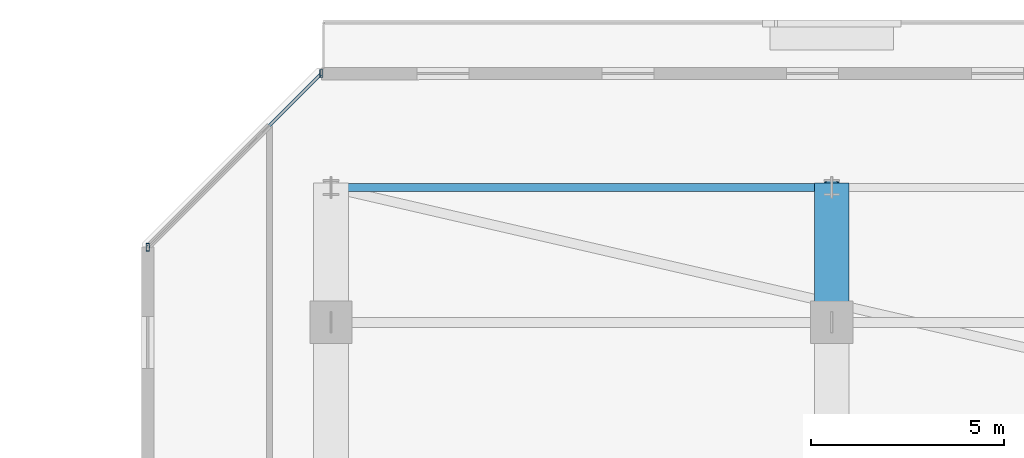
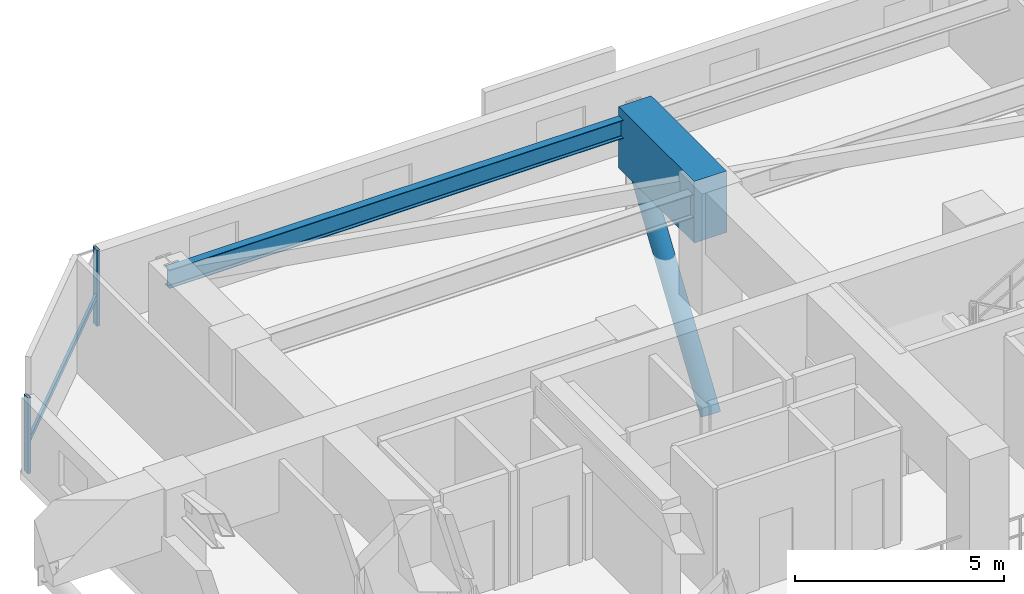
# One storey, part 8 of 36: 4 members, 2 beams, 1 element without a shape of its own.
"""IFC4 building model written with IfcOpenShell, lengths in metres."""

from ifc_helpers import new_model, si_unit, direction, frame, origin, origin_2d, place, context, subcontext, project, spatial, rectangle, hollow_rectangle, hollow_circle, i_section, extrude, material, material_profile, profile_set, type_object, element, aggregate, save


model = new_model("IFC4")

# Units and contexts
model_context = context("Model", 3, precision=1e-05, world=origin(), true_north=direction((0.0, 1.0)))
body_context = subcontext(model_context, "Body", "Model", "MODEL_VIEW")
ifc_project = project(units=[si_unit("LENGTHUNIT", "METRE"), si_unit("AREAUNIT", "SQUARE_METRE"), si_unit("VOLUMEUNIT", "CUBIC_METRE"), si_unit("PLANEANGLEUNIT", "RADIAN"), si_unit("MASSUNIT", "GRAM", prefix="KILO")], contexts=[model_context])

# Site, building, storey
site_placement = place(None, origin())
site = spatial("IfcSite", under=ifc_project, at=site_placement, CompositionType="ELEMENT")
building_placement = place(site_placement, origin())
building = spatial("IfcBuilding", under=site, at=building_placement, Name="Thornwick Lancets Civic Towers", CompositionType="ELEMENT")
storey_placement = place(building_placement, frame((0.0, 0.0, 196.5)))
storey = spatial("IfcBuildingStorey", under=building, at=storey_placement, Name="L52", CompositionType="ELEMENT", Elevation=196.5)

# Beams
ifc_material_1 = material(Name="Steel S355JR", Category="steel")
ifc_material_profile_1 = material_profile(ifc_material_1, i_section(OverallWidth=0.210693359375, OverallDepth=0.53955078125, WebThickness=0.01171875, FlangeThickness=0.018798828125, FilletRadius=0.0126953125, at=origin_2d()), Name="UKB 533x210x109")
ifc_profile_set_1 = profile_set([ifc_material_profile_1], Name="Steel S355JR")
beam_type_1 = type_object("IfcBeamType", Name="BM_EDGE_533_109", PredefinedType="SPANDREL", material=ifc_profile_set_1)
beam_1_placement = place(storey_placement, frame((12.5, 47.800048828125, 3.0703125), z_axis=(1.0, 0.0, 0.0), x_axis=(0.0, 1.0, 0.0)))
element("IfcBeam", 1, at=beam_1_placement, inside=storey, type_object=beam_type_1, Name="BM-EDGE-L52-A-S2-1", PredefinedType="SPANDREL", context=body_context, shape_type="SweptSolid", body=[
    extrude(i_section(OverallWidth=0.210693359375, OverallDepth=0.53955078125, WebThickness=0.01171875, FlangeThickness=0.018798828125, FilletRadius=0.0126953125, at=origin_2d()), origin(), (0.0, 0.0, 1.0), 13.0),
])
ifc_material_2 = material(Name="Concrete C60/75", Category="concrete")
ifc_material_profile_2 = material_profile(ifc_material_2, rectangle(XDim=0.89990234375, YDim=1.800048828125, at=origin_2d()), Name="RC 900x1800")
ifc_profile_set_2 = profile_set([ifc_material_profile_2], Name="Concrete C60/75")
beam_type_2 = type_object("IfcBeamType", Name="BM_TR_RC1800", PredefinedType="BEAM", material=ifc_profile_set_2)
beam_2_placement = place(storey_placement, frame((25.5, 44.300048828125, 2.699951171875), z_axis=(0.0, 1.0, 0.0), x_axis=(-1.0, 0.0, 0.0)))
element("IfcBeam", 2, at=beam_2_placement, inside=storey, type_object=beam_type_2, Name="TG-CANT-L53-A08", PredefinedType="BEAM", context=body_context, shape_type="SweptSolid", body=[
    extrude(rectangle(XDim=0.89990234375, YDim=1.800048828125, at=origin_2d()), origin(), (0.0, 0.0, 1.0), 3.619873046875),
])

# Curtain wall, members
ifc_material_3 = material(Name="Mid-zone chamfered-corner unitised glass curtain wall", Category="glass")
curtain_wall_type = type_object("IfcCurtainWallType", Name="CW_SYS_04", PredefinedType="NOTDEFINED", material=ifc_material_3)
curtain_wall_placement = place(storey_placement, origin())
curtain_wall = element("IfcCurtainWall", 3, at=curtain_wall_placement, inside=storey, type_object=curtain_wall_type, Name="L52 Curtain Wall CW-L52-A-E5", PredefinedType="NOTDEFINED")
ifc_material_4 = material(Name="Thermally broken bronze aluminium S355", Category="steel")
ifc_material_profile_3 = material_profile(ifc_material_4, hollow_rectangle(XDim=0.080078125, YDim=0.199951171875, WallThickness=0.006103515625, at=origin_2d()), Name="RHS 200x80x6")
ifc_profile_set_3 = profile_set([ifc_material_profile_3], Name="Thermally broken bronze aluminium S355")
member_type_1 = type_object("IfcMemberType", Name="CW_MUL_200", PredefinedType="MULLION", material=ifc_profile_set_3)
member_1_placement = place(storey_placement, frame((12.2490234375, 50.75830078125, 0.0), z_axis=(0.0, 0.0, 1.0), x_axis=(1.0, 0.0, 0.0)))
member_1 = element("IfcMember", 4, at=member_1_placement, type_object=member_type_1, Name="CW-L52-A-E5 Mullion 0", PredefinedType="MULLION", context=body_context, shape_type="SweptSolid", body=[
    extrude(hollow_rectangle(XDim=0.080078125, YDim=0.199951171875, WallThickness=0.006103515625, at=origin_2d()), origin(), (0.0, 0.0, 1.0), 2.219970703125),
])
member_2_placement = place(storey_placement, frame((7.74169921875, 46.2509765625, 0.0), z_axis=(0.0, 0.0, 1.0), x_axis=(1.0, 0.0, 0.0)))
member_2 = element("IfcMember", 5, at=member_2_placement, type_object=member_type_1, Name="CW-L52-A-E5 Mullion 1", PredefinedType="MULLION", context=body_context, shape_type="SweptSolid", body=[
    extrude(hollow_rectangle(XDim=0.080078125, YDim=0.199951171875, WallThickness=0.006103515625, at=origin_2d()), origin(), (0.0, 0.0, 1.0), 2.219970703125),
])
ifc_material_profile_4 = material_profile(ifc_material_4, hollow_rectangle(XDim=0.074951171875, YDim=0.14990234375, WallThickness=0.0048828125, at=origin_2d()), Name="RHS 150x75x5")
ifc_profile_set_4 = profile_set([ifc_material_profile_4], Name="Thermally broken bronze aluminium S355")
member_type_2 = type_object("IfcMemberType", Name="CW_TRN_150", PredefinedType="USERDEFINED", material=ifc_profile_set_4)
member_3_placement = place(storey_placement, frame((12.23486328125, 50.744140625, 0.85009765625), z_axis=(-0.707106781187, -0.707106781187, 0.0), x_axis=(0.707106781187, -0.707106781187, 0.0)))
member_3 = element("IfcMember", 6, at=member_3_placement, type_object=member_type_2, Name="CW-L52-A-E5 Transom 0", ObjectType="TRANSOM", PredefinedType="USERDEFINED", context=body_context, shape_type="SweptSolid", body=[
    extrude(hollow_rectangle(XDim=0.074951171875, YDim=0.14990234375, WallThickness=0.0048828125, at=origin_2d()), origin(), (0.0, 0.0, 1.0), 6.334228515625),
])
aggregate(curtain_wall, [member_1, member_2, member_3])

# Member
ifc_material_5 = material(Name="Steel S460M", Category="steel")
ifc_material_profile_5 = material_profile(ifc_material_5, hollow_circle(Radius=0.25390625, WallThickness=0.02490234375, at=origin_2d()), Name="CHS 508x25")
ifc_profile_set_5 = profile_set([ifc_material_profile_5], Name="Steel S460M")
member_type_3 = type_object("IfcMemberType", Name="MEM_STRUT_CHS508", PredefinedType="STRUT", material=ifc_profile_set_5)
member_4_placement = place(storey_placement, frame((25.5, 44.300048828125, -3.35009765625), z_axis=(0.0, 0.556167580628, 0.831070166868), x_axis=(-1.0, 0.0, 0.0)))
element("IfcMember", 7, at=member_4_placement, inside=storey, type_object=member_type_3, Name="L53 Jenga Transfer Raking Strut A08", PredefinedType="STRUT", context=body_context, shape_type="SweptSolid", body=[
    extrude(hollow_circle(Radius=0.25390625, WallThickness=0.02490234375, at=origin_2d()), origin(), (0.0, 0.0, 1.0), 6.29296875),
])

save(model, "model.ifc")
